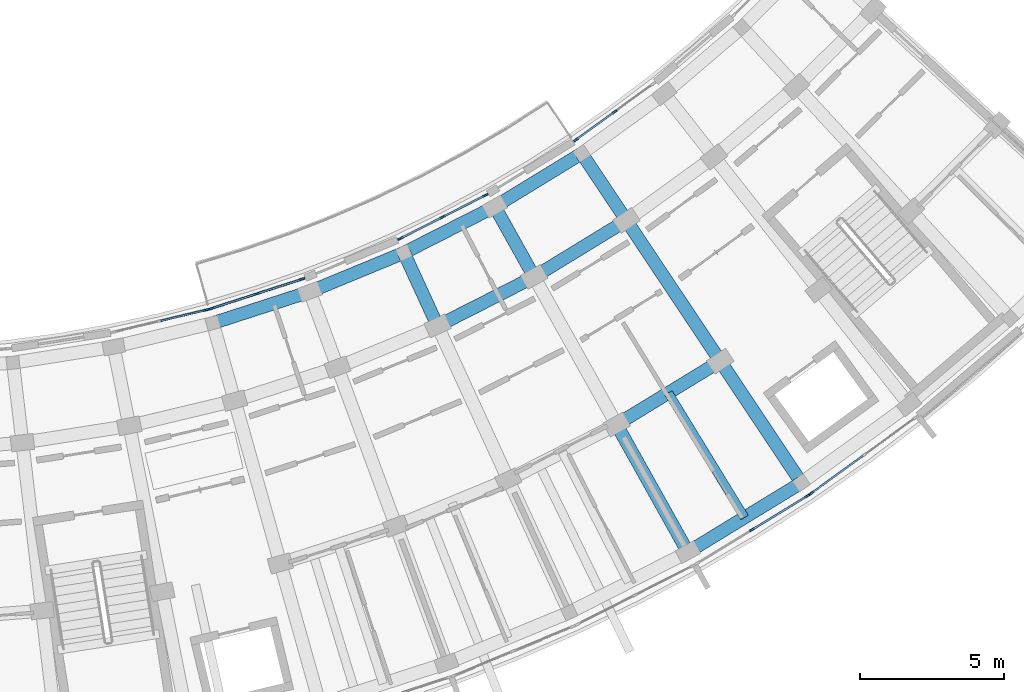
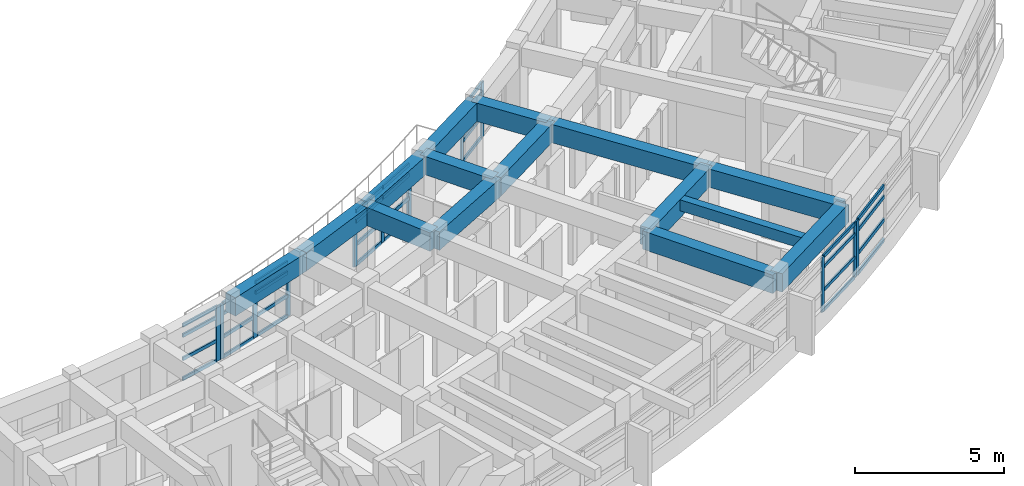
# One storey, part 18 of 56: 44 members, 15 beams, 6 elements without a shape of their own.
"""IFC4 building model written with IfcOpenShell, lengths in metres."""

from ifc_helpers import new_model, si_unit, direction, frame, origin, origin_2d, place, context, subcontext, project, spatial, rectangle, extrude, material, material_profile, profile_set, type_object, element, aggregate, save


model = new_model("IFC4")

# Units and contexts
model_context = context("Model", 3, precision=1e-05, world=origin(), true_north=direction((0.0, 1.0)))
body_context = subcontext(model_context, "Body", "Model", "MODEL_VIEW")
ifc_project = project(units=[si_unit("LENGTHUNIT", "METRE"), si_unit("AREAUNIT", "SQUARE_METRE"), si_unit("VOLUMEUNIT", "CUBIC_METRE"), si_unit("PLANEANGLEUNIT", "RADIAN"), si_unit("MASSUNIT", "GRAM", prefix="KILO")], contexts=[model_context])

# Site, building, storey
site_placement = place(None, origin())
site = spatial("IfcSite", under=ifc_project, at=site_placement, CompositionType="ELEMENT")
building_placement = place(site_placement, origin())
building = spatial("IfcBuilding", under=site, at=building_placement, Name="Zimvara Arc Housing Community", CompositionType="ELEMENT")
storey_placement = place(building_placement, frame((0.0, 0.0, 11.199951171875)))
storey = spatial("IfcBuildingStorey", under=building, at=storey_placement, Name="L03", CompositionType="ELEMENT", Elevation=11.199951171875)

# Beams
ifc_material_1 = material(Name="Concrete C40/50", Category="concrete")
ifc_material_profile_1 = material_profile(ifc_material_1, rectangle(XDim=0.300048828125, YDim=0.449951171875, at=origin_2d()), Name="RC 300x450")
ifc_profile_set_1 = profile_set([ifc_material_profile_1], Name="Concrete C40/50")
beam_type_1 = type_object("IfcBeamType", Name="BM-RC-300x450", PredefinedType="JOIST", material=ifc_profile_set_1)
beam_1_placement = place(storey_placement, frame((154.02880859375, 63.998779296875, 2.635009765625), z_axis=(0.521755418526, -0.85309511969, 0.0), x_axis=(0.85309511969, 0.521755418526, 0.0)))
element("IfcBeam", 1, at=beam_1_placement, inside=storey, type_object=beam_type_1, Name="bm:blkD:L03:joist:b6", PredefinedType="JOIST", context=body_context, shape_type="SweptSolid", body=[
    extrude(rectangle(XDim=0.300048828125, YDim=0.449951171875, at=origin_2d()), origin(), (0.0, 0.0, 1.0), 5.075927734375),
])
ifc_material_2 = material(Name="Concrete C40/50", Category="concrete")
ifc_material_profile_2 = material_profile(ifc_material_2, rectangle(XDim=0.449951171875, YDim=0.75, at=origin_2d()), Name="RC 450x750")
ifc_profile_set_2 = profile_set([ifc_material_profile_2], Name="Concrete C40/50")
beam_type_2 = type_object("IfcBeamType", Name="BM-RC-450x750", PredefinedType="BEAM", material=ifc_profile_set_2)
beam_2_placement = place(storey_placement, frame((138.189453125, 66.42333984375, 2.485107421875), z_axis=(0.951329887165, 0.308174375618, 0.0), x_axis=(-0.308174375618, 0.951329887165, 0.0)))
element("IfcBeam", 2, at=beam_2_placement, inside=storey, type_object=beam_type_2, Name="bm:blkD:L03:chord:r0:b3", PredefinedType="BEAM", context=body_context, shape_type="SweptSolid", body=[
    extrude(rectangle(XDim=0.449951171875, YDim=0.75, at=origin_2d()), origin(), (0.0, 0.0, 1.0), 3.542724609375),
])
beam_3_placement = place(storey_placement, frame((141.559814453125, 67.51513671875, 2.485107421875), z_axis=(0.924206445561, 0.381893238987, 0.0), x_axis=(-0.381893238987, 0.924206445561, 0.0)))
element("IfcBeam", 3, at=beam_3_placement, inside=storey, type_object=beam_type_2, Name="bm:blkD:L03:chord:r0:b4", PredefinedType="BEAM", context=body_context, shape_type="SweptSolid", body=[
    extrude(rectangle(XDim=0.449951171875, YDim=0.75, at=origin_2d()), origin(), (0.0, 0.0, 1.0), 3.54296875),
])
beam_4_placement = place(storey_placement, frame((144.834228515625, 68.8681640625, 2.485107421875), z_axis=(0.891388433472, 0.453240179895, 0.0), x_axis=(-0.453240179895, 0.891388433472, 0.0)))
element("IfcBeam", 4, at=beam_4_placement, inside=storey, type_object=beam_type_2, Name="bm:blkD:L03:chord:r0:b5", PredefinedType="BEAM", context=body_context, shape_type="SweptSolid", body=[
    extrude(rectangle(XDim=0.449951171875, YDim=0.75, at=origin_2d()), origin(), (0.0, 0.0, 1.0), 3.542724609375),
])
beam_5_placement = place(storey_placement, frame((147.9921875, 70.473876953125, 2.485107421875), z_axis=(0.853114855616, 0.52172314797, 0.0), x_axis=(-0.52172314797, 0.853114855616, 0.0)))
element("IfcBeam", 5, at=beam_5_placement, inside=storey, type_object=beam_type_2, Name="bm:blkD:L03:chord:r0:b6", PredefinedType="BEAM", context=body_context, shape_type="SweptSolid", body=[
    extrude(rectangle(XDim=0.449951171875, YDim=0.75, at=origin_2d()), origin(), (0.0, 0.0, 1.0), 3.54296875),
])
for number, where, z_axis, x_axis, name in (
    (6, (146.004150390625, 66.32421875, 2.485107421875), (0.891396237924, 0.453224830536, 0.0), (-0.453224830536, 0.891396237924, 0.0), "bm:blkD:L03:chord:r1:b5"),
    (7, (149.358154296875, 68.029541015625, 2.485107421875), (0.853105356478, 0.521738680517, 0.0), (-0.521738680517, 0.853105356478, 0.0), "bm:blkD:L03:chord:r1:b6"),
):
    element("IfcBeam", number, at=place(storey_placement, frame(where, z_axis=z_axis, x_axis=x_axis)), inside=storey, type_object=beam_type_2, Name=name, PredefinedType="BEAM", context=body_context, shape_type="SweptSolid", body=[
        extrude(rectangle(XDim=0.449951171875, YDim=0.75, at=origin_2d()), origin(), (0.0, 0.0, 1.0), 3.7626953125),
    ])
beam_6_placement = place(storey_placement, frame((152.226806640625, 62.896728515625, 2.485107421875), z_axis=(0.853091772331, 0.521760891579, 0.0), x_axis=(-0.521760891579, 0.853091772331, 0.0)))
element("IfcBeam", 8, at=beam_6_placement, inside=storey, type_object=beam_type_2, Name="bm:blkD:L03:chord:r2:b6", PredefinedType="BEAM", context=body_context, shape_type="SweptSolid", body=[
    extrude(rectangle(XDim=0.449951171875, YDim=0.75, at=origin_2d()), origin(), (0.0, 0.0, 1.0), 4.224365234375),
])
beam_7_placement = place(storey_placement, frame((154.705078125, 58.46240234375, 2.485107421875), z_axis=(0.853105562062, 0.521738344363, 0.0), x_axis=(-0.521738344363, 0.853105562062, 0.0)))
element("IfcBeam", 9, at=beam_7_placement, inside=storey, type_object=beam_type_2, Name="bm:blkD:L03:chord:r3:b6", PredefinedType="BEAM", context=body_context, shape_type="SweptSolid", body=[
    extrude(rectangle(XDim=0.449951171875, YDim=0.75, at=origin_2d()), origin(), (0.0, 0.0, 1.0), 4.623291015625),
])
for number, where, z_axis, x_axis, name in (
    (10, (144.834228515625, 68.8681640625, 2.485107421875), (0.417819250126, -0.908530172435, 0.0), (0.908530172435, 0.417819250126, 0.0), "bm:blkD:L03:rad:b5:r01"),
    (11, (147.9921875, 70.473876953125, 2.485107421875), (0.487825265957, -0.87294129808, 0.0), (0.87294129808, 0.487825265957, 0.0), "bm:blkD:L03:rad:b6:r01"),
):
    element("IfcBeam", number, at=place(storey_placement, frame(where, z_axis=z_axis, x_axis=x_axis)), inside=storey, type_object=beam_type_2, Name=name, PredefinedType="BEAM", context=body_context, shape_type="SweptSolid", body=[
        extrude(rectangle(XDim=0.449951171875, YDim=0.75, at=origin_2d()), origin(), (0.0, 0.0, 1.0), 2.800048828125),
    ])
beam_8_placement = place(storey_placement, frame((152.226806640625, 62.896728515625, 2.485107421875), z_axis=(0.48786121213, -0.872921209331, 0.0), x_axis=(0.872921209331, 0.48786121213, 0.0)))
element("IfcBeam", 12, at=beam_8_placement, inside=storey, type_object=beam_type_2, Name="bm:blkD:L03:rad:b6:r23", PredefinedType="BEAM", context=body_context, shape_type="SweptSolid", body=[
    extrude(rectangle(XDim=0.449951171875, YDim=0.75, at=origin_2d()), origin(), (0.0, 0.0, 1.0), 5.079833984375),
])
beam_9_placement = place(storey_placement, frame((151.0146484375, 72.322265625, 2.485107421875), z_axis=(0.55480079798, -0.831983217716, 0.0), x_axis=(0.831983217716, 0.55480079798, 0.0)))
element("IfcBeam", 13, at=beam_9_placement, inside=storey, type_object=beam_type_2, Name="bm:blkD:L03:rad:b7:r01", PredefinedType="BEAM", context=body_context, shape_type="SweptSolid", body=[
    extrude(rectangle(XDim=0.449951171875, YDim=0.75, at=origin_2d()), origin(), (0.0, 0.0, 1.0), 2.800048828125),
])
beam_10_placement = place(storey_placement, frame((152.568115234375, 69.99267578125, 2.485107421875), z_axis=(0.554843914175, -0.831954464441, 0.0), x_axis=(0.831954464441, 0.554843914175, 0.0)))
element("IfcBeam", 14, at=beam_10_placement, inside=storey, type_object=beam_type_2, Name="bm:blkD:L03:rad:b7:r12", PredefinedType="BEAM", context=body_context, shape_type="SweptSolid", body=[
    extrude(rectangle(XDim=0.449951171875, YDim=0.75, at=origin_2d()), origin(), (0.0, 0.0, 1.0), 5.8798828125),
])
beam_11_placement = place(storey_placement, frame((155.83056640625, 65.100830078125, 2.485107421875), z_axis=(0.554844365732, -0.83195416329, 0.0), x_axis=(0.83195416329, 0.554844365732, 0.0)))
element("IfcBeam", 15, at=beam_11_placement, inside=storey, type_object=beam_type_2, Name="bm:blkD:L03:rad:b7:r23", PredefinedType="BEAM", context=body_context, shape_type="SweptSolid", body=[
    extrude(rectangle(XDim=0.449951171875, YDim=0.75, at=origin_2d()), origin(), (0.0, 0.0, 1.0), 5.080078125),
])

# Curtain wall, member
ifc_material_3 = material(Name="Anodised Aluminium AW-6063", Category="aluminium")
curtain_wall_type_1 = type_object("IfcCurtainWallType", Name="CW-SYS-06", PredefinedType="USERDEFINED", material=ifc_material_3)
curtain_wall_1_placement = place(storey_placement, origin())
curtain_wall_1 = element("IfcCurtainWall", 16, at=curtain_wall_1_placement, inside=storey, type_object=curtain_wall_type_1, Name="cw:blkD:L03:in:b2", ObjectType="CURTAIN WALL", PredefinedType="USERDEFINED")
ifc_material_4 = material(Name="Anodised Aluminium AW-6063", Category="aluminium")
ifc_material_profile_3 = material_profile(ifc_material_4, rectangle(XDim=0.06494140625, YDim=0.179931640625, at=origin_2d()), Name="ALU 65x180")
ifc_profile_set_3 = profile_set([ifc_material_profile_3], Name="Anodised Aluminium AW-6063")
member_type_1 = type_object("IfcMemberType", Name="CWM-65x150", PredefinedType="MULLION", material=ifc_profile_set_3)
member_1_placement = place(storey_placement, frame((137.964111328125, 66.88330078125, 0.0), z_axis=(0.0, 0.0, 1.0), x_axis=(-0.232596003485, 0.972573441526, 0.0)))
member_1 = element("IfcMember", 17, at=member_1_placement, type_object=member_type_1, Name="CW06 mullion 3", PredefinedType="MULLION", context=body_context, shape_type="SweptSolid", body=[
    extrude(rectangle(XDim=0.06494140625, YDim=0.179931640625, at=origin_2d()), origin(), (0.0, 0.0, 1.0), 2.25),
])

# Curtain wall, members
ifc_material_5 = material(Name="Anodised Aluminium AW-6063", Category="aluminium")
curtain_wall_type_2 = type_object("IfcCurtainWallType", Name="CW-SYS-08", PredefinedType="USERDEFINED", material=ifc_material_5)
curtain_wall_2_placement = place(storey_placement, origin())
curtain_wall_2 = element("IfcCurtainWall", 18, at=curtain_wall_2_placement, inside=storey, type_object=curtain_wall_type_2, Name="cw:blkD:L03:in:b3", ObjectType="CURTAIN WALL", PredefinedType="USERDEFINED")
member_2_placement = place(storey_placement, frame((138.14208984375, 66.93310546875, 0.0), z_axis=(0.0, 0.0, 1.0), x_axis=(-0.308185223559, 0.951326373008, 0.0)))
member_2 = element("IfcMember", 19, at=member_2_placement, type_object=member_type_1, Name="CW08 mullion 1", PredefinedType="MULLION", context=body_context, shape_type="SweptSolid", body=[
    extrude(rectangle(XDim=0.06494140625, YDim=0.179931640625, at=origin_2d()), origin(), (0.0, 0.0, 1.0), 2.25),
])
member_3_placement = place(storey_placement, frame((139.720703125, 67.444580078125, 0.0), z_axis=(0.0, 0.0, 1.0), x_axis=(-0.308185223559, 0.951326373008, 0.0)))
member_3 = element("IfcMember", 20, at=member_3_placement, type_object=member_type_1, Name="CW08 mullion 2", PredefinedType="MULLION", context=body_context, shape_type="SweptSolid", body=[
    extrude(rectangle(XDim=0.06494140625, YDim=0.179931640625, at=origin_2d()), origin(), (0.0, 0.0, 1.0), 2.25),
])
member_4_placement = place(storey_placement, frame((141.29931640625, 67.9560546875, 0.0), z_axis=(0.0, 0.0, 1.0), x_axis=(-0.308185223559, 0.951326373008, 0.0)))
member_4 = element("IfcMember", 21, at=member_4_placement, type_object=member_type_1, Name="CW08 mullion 3", PredefinedType="MULLION", context=body_context, shape_type="SweptSolid", body=[
    extrude(rectangle(XDim=0.06494140625, YDim=0.179931640625, at=origin_2d()), origin(), (0.0, 0.0, 1.0), 2.25),
])

ifc_material_6 = material(Name="Anodised Aluminium AW-6063", Category="aluminium")
curtain_wall_type_3 = type_object("IfcCurtainWallType", Name="CW-SYS-04", PredefinedType="USERDEFINED", material=ifc_material_6)
curtain_wall_3_placement = place(storey_placement, origin())
curtain_wall_3 = element("IfcCurtainWall", 22, at=curtain_wall_3_placement, inside=storey, type_object=curtain_wall_type_3, Name="cw:blkD:L03:out:b6", ObjectType="CURTAIN WALL", PredefinedType="USERDEFINED")
member_5_placement = place(storey_placement, frame((156.93798828125, 59.2421875, 0.0), z_axis=(0.0, 0.0, 1.0), x_axis=(-0.521754248513, 0.853095835272, 0.0)))
member_5 = element("IfcMember", 23, at=member_5_placement, type_object=member_type_1, Name="CW04 mullion 2", PredefinedType="MULLION", context=body_context, shape_type="SweptSolid", body=[
    extrude(rectangle(XDim=0.06494140625, YDim=0.179931640625, at=origin_2d()), origin(), (0.0, 0.0, 1.0), 2.25),
])
member_6_placement = place(storey_placement, frame((158.84765625, 60.410400390625, 0.0), z_axis=(0.0, 0.0, 1.0), x_axis=(-0.521754248513, 0.853095835272, 0.0)))
member_6 = element("IfcMember", 24, at=member_6_placement, type_object=member_type_1, Name="CW04 mullion 3", PredefinedType="MULLION", context=body_context, shape_type="SweptSolid", body=[
    extrude(rectangle(XDim=0.06494140625, YDim=0.179931640625, at=origin_2d()), origin(), (0.0, 0.0, 1.0), 2.25),
])

curtain_wall_4_placement = place(storey_placement, origin())
curtain_wall_4 = element("IfcCurtainWall", 25, at=curtain_wall_4_placement, inside=storey, type_object=curtain_wall_type_1, Name="cw:blkD:L03:in:b7", ObjectType="CURTAIN WALL", PredefinedType="USERDEFINED")
member_7_placement = place(storey_placement, frame((150.81201171875, 72.79248046875, 0.0), z_axis=(0.0, 0.0, 1.0), x_axis=(-0.587079343755, 0.809529396709, 0.0)))
member_7 = element("IfcMember", 26, at=member_7_placement, type_object=member_type_1, Name="CW06 mullion 1", PredefinedType="MULLION", context=body_context, shape_type="SweptSolid", body=[
    extrude(rectangle(XDim=0.06494140625, YDim=0.179931640625, at=origin_2d()), origin(), (0.0, 0.0, 1.0), 2.25),
])
member_8_placement = place(storey_placement, frame((152.1552734375, 73.7666015625, 0.0), z_axis=(0.0, 0.0, 1.0), x_axis=(-0.587079343755, 0.809529396709, 0.0)))
member_8 = element("IfcMember", 27, at=member_8_placement, type_object=member_type_1, Name="CW06 mullion 2", PredefinedType="MULLION", context=body_context, shape_type="SweptSolid", body=[
    extrude(rectangle(XDim=0.06494140625, YDim=0.179931640625, at=origin_2d()), origin(), (0.0, 0.0, 1.0), 2.25),
])

ifc_material_7 = material(Name="Anodised Aluminium AW-6063", Category="aluminium")
curtain_wall_type_4 = type_object("IfcCurtainWallType", Name="CW-SYS-03", PredefinedType="USERDEFINED", material=ifc_material_7)
curtain_wall_5_placement = place(storey_placement, origin())
curtain_wall_5 = element("IfcCurtainWall", 28, at=curtain_wall_5_placement, inside=storey, type_object=curtain_wall_type_4, Name="cw:blkD:L03:in:b5", ObjectType="CURTAIN WALL", PredefinedType="USERDEFINED")
ifc_material_8 = material(Name="Anodised Aluminium AW-6063", Category="aluminium")
ifc_material_profile_4 = material_profile(ifc_material_8, rectangle(XDim=0.06494140625, YDim=0.195068359375, at=origin_2d()), Name="ALU 65x195")
ifc_profile_set_4 = profile_set([ifc_material_profile_4], Name="Anodised Aluminium AW-6063")
member_type_2 = type_object("IfcMemberType", Name="CWM-65x180", PredefinedType="MULLION", material=ifc_profile_set_4)
member_9_placement = place(storey_placement, frame((144.707763671875, 69.3642578125, 0.0), z_axis=(0.0, 0.0, 1.0), x_axis=(-0.453211411267, 0.89140306074, 0.0)))
member_9 = element("IfcMember", 29, at=member_9_placement, type_object=member_type_2, Name="CW03 mullion 1", PredefinedType="MULLION", context=body_context, shape_type="SweptSolid", body=[
    extrude(rectangle(XDim=0.06494140625, YDim=0.195068359375, at=origin_2d()), origin(), (0.0, 0.0, 1.0), 2.25),
])
member_10_placement = place(storey_placement, frame((146.186767578125, 70.1162109375, 0.0), z_axis=(0.0, 0.0, 1.0), x_axis=(-0.453211411267, 0.89140306074, 0.0)))
member_10 = element("IfcMember", 30, at=member_10_placement, type_object=member_type_2, Name="CW03 mullion 2", PredefinedType="MULLION", context=body_context, shape_type="SweptSolid", body=[
    extrude(rectangle(XDim=0.06494140625, YDim=0.195068359375, at=origin_2d()), origin(), (0.0, 0.0, 1.0), 2.25),
])
member_11_placement = place(storey_placement, frame((147.665771484375, 70.868408203125, 0.0), z_axis=(0.0, 0.0, 1.0), x_axis=(-0.453211411267, 0.89140306074, 0.0)))
member_11 = element("IfcMember", 31, at=member_11_placement, type_object=member_type_2, Name="CW03 mullion 3", PredefinedType="MULLION", context=body_context, shape_type="SweptSolid", body=[
    extrude(rectangle(XDim=0.06494140625, YDim=0.195068359375, at=origin_2d()), origin(), (0.0, 0.0, 1.0), 2.25),
])

# Curtain wall, member
ifc_material_9 = material(Name="Anodised Aluminium AW-6063", Category="aluminium")
curtain_wall_type_5 = type_object("IfcCurtainWallType", Name="CW-SYS-05", PredefinedType="USERDEFINED", material=ifc_material_9)
curtain_wall_6_placement = place(storey_placement, origin())
curtain_wall_6 = element("IfcCurtainWall", 32, at=curtain_wall_6_placement, inside=storey, type_object=curtain_wall_type_5, Name="cw:blkD:L03:out:b7", ObjectType="CURTAIN WALL", PredefinedType="USERDEFINED")
member_12_placement = place(storey_placement, frame((159.00146484375, 60.512939453125, 0.0), z_axis=(0.0, 0.0, 1.0), x_axis=(-0.587077917196, 0.809530431263, 0.0)))
member_12 = element("IfcMember", 33, at=member_12_placement, type_object=member_type_2, Name="CW05 mullion 1", PredefinedType="MULLION", context=body_context, shape_type="SweptSolid", body=[
    extrude(rectangle(XDim=0.06494140625, YDim=0.195068359375, at=origin_2d()), origin(), (0.0, 0.0, 1.0), 2.25),
])

# Member
ifc_material_10 = material(Name="Anodised Aluminium AW-6063", Category="aluminium")
ifc_material_profile_5 = material_profile(ifc_material_10, rectangle(XDim=0.06494140625, YDim=0.139892578125, at=origin_2d()), Name="ALU 65x140")
ifc_profile_set_5 = profile_set([ifc_material_profile_5], Name="Anodised Aluminium AW-6063")
member_type_3 = type_object("IfcMemberType", Name="CWT-65x120", PredefinedType="USERDEFINED", material=ifc_profile_set_5)
member_13_placement = place(storey_placement, frame((136.382080078125, 66.5048828125, 0.032470703125), z_axis=(0.972569101566, 0.232614149784, 0.0), x_axis=(-0.232614149784, 0.972569101566, 0.0)))
member_13 = element("IfcMember", 34, at=member_13_placement, type_object=member_type_3, Name="CW06 transom 2.1", ObjectType="TRANSOM", PredefinedType="USERDEFINED", context=body_context, shape_type="SweptSolid", body=[
    extrude(rectangle(XDim=0.06494140625, YDim=0.139892578125, at=origin_2d()), origin(), (0.0, 0.0, 1.0), 1.59423828125),
])

member_14_placement = place(storey_placement, frame((136.382080078125, 66.5048828125, 0.85009765625), z_axis=(0.972569101566, 0.232614149784, 0.0), x_axis=(-0.232614149784, 0.972569101566, 0.0)))
member_14 = element("IfcMember", 35, at=member_14_placement, type_object=member_type_3, Name="CW06 transom 2.2", ObjectType="TRANSOM", PredefinedType="USERDEFINED", context=body_context, shape_type="SweptSolid", body=[
    extrude(rectangle(XDim=0.06494140625, YDim=0.139892578125, at=origin_2d()), origin(), (0.0, 0.0, 1.0), 1.59423828125),
])

member_15_placement = place(storey_placement, frame((136.382080078125, 66.5048828125, 1.800048828125), z_axis=(0.972569101566, 0.232614149784, 0.0), x_axis=(-0.232614149784, 0.972569101566, 0.0)))
member_15 = element("IfcMember", 36, at=member_15_placement, type_object=member_type_3, Name="CW06 transom 2.3", ObjectType="TRANSOM", PredefinedType="USERDEFINED", context=body_context, shape_type="SweptSolid", body=[
    extrude(rectangle(XDim=0.06494140625, YDim=0.139892578125, at=origin_2d()), origin(), (0.0, 0.0, 1.0), 1.59423828125),
])

member_16_placement = place(storey_placement, frame((136.382080078125, 66.5048828125, 2.217529296875), z_axis=(0.972569101566, 0.232614149784, 0.0), x_axis=(-0.232614149784, 0.972569101566, 0.0)))
member_16 = element("IfcMember", 37, at=member_16_placement, type_object=member_type_3, Name="CW06 transom 2.4", ObjectType="TRANSOM", PredefinedType="USERDEFINED", context=body_context, shape_type="SweptSolid", body=[
    extrude(rectangle(XDim=0.06494140625, YDim=0.139892578125, at=origin_2d()), origin(), (0.0, 0.0, 1.0), 1.59423828125),
])

aggregate(curtain_wall_1, [member_1, member_13, member_14, member_15, member_16])

member_17_placement = place(storey_placement, frame((138.173095703125, 66.943115234375, 0.032470703125), z_axis=(0.951299308569, 0.308268755336, 0.0), x_axis=(-0.308268755336, 0.951299308569, 0.0)))
member_17 = element("IfcMember", 38, at=member_17_placement, type_object=member_type_3, Name="CW08 transom 1.1", ObjectType="TRANSOM", PredefinedType="USERDEFINED", context=body_context, shape_type="SweptSolid", body=[
    extrude(rectangle(XDim=0.06494140625, YDim=0.139892578125, at=origin_2d()), origin(), (0.0, 0.0, 1.0), 1.59423828125),
])

member_18_placement = place(storey_placement, frame((138.173095703125, 66.943115234375, 0.85009765625), z_axis=(0.951299308569, 0.308268755336, 0.0), x_axis=(-0.308268755336, 0.951299308569, 0.0)))
member_18 = element("IfcMember", 39, at=member_18_placement, type_object=member_type_3, Name="CW08 transom 1.2", ObjectType="TRANSOM", PredefinedType="USERDEFINED", context=body_context, shape_type="SweptSolid", body=[
    extrude(rectangle(XDim=0.06494140625, YDim=0.139892578125, at=origin_2d()), origin(), (0.0, 0.0, 1.0), 1.59423828125),
])

member_19_placement = place(storey_placement, frame((138.173095703125, 66.943115234375, 1.800048828125), z_axis=(0.951299308569, 0.308268755336, 0.0), x_axis=(-0.308268755336, 0.951299308569, 0.0)))
member_19 = element("IfcMember", 40, at=member_19_placement, type_object=member_type_3, Name="CW08 transom 1.3", ObjectType="TRANSOM", PredefinedType="USERDEFINED", context=body_context, shape_type="SweptSolid", body=[
    extrude(rectangle(XDim=0.06494140625, YDim=0.139892578125, at=origin_2d()), origin(), (0.0, 0.0, 1.0), 1.59423828125),
])

member_20_placement = place(storey_placement, frame((138.173095703125, 66.943115234375, 2.217529296875), z_axis=(0.951299308569, 0.308268755336, 0.0), x_axis=(-0.308268755336, 0.951299308569, 0.0)))
member_20 = element("IfcMember", 41, at=member_20_placement, type_object=member_type_3, Name="CW08 transom 1.4", ObjectType="TRANSOM", PredefinedType="USERDEFINED", context=body_context, shape_type="SweptSolid", body=[
    extrude(rectangle(XDim=0.06494140625, YDim=0.139892578125, at=origin_2d()), origin(), (0.0, 0.0, 1.0), 1.59423828125),
])

member_21_placement = place(storey_placement, frame((139.751708984375, 67.45458984375, 0.032470703125), z_axis=(0.951344209493, 0.308130159289, 0.0), x_axis=(-0.308130159289, 0.951344209493, 0.0)))
member_21 = element("IfcMember", 42, at=member_21_placement, type_object=member_type_3, Name="CW08 transom 2.1", ObjectType="TRANSOM", PredefinedType="USERDEFINED", context=body_context, shape_type="SweptSolid", body=[
    extrude(rectangle(XDim=0.06494140625, YDim=0.139892578125, at=origin_2d()), origin(), (0.0, 0.0, 1.0), 1.59423828125),
])

member_22_placement = place(storey_placement, frame((139.751708984375, 67.45458984375, 0.85009765625), z_axis=(0.951344209493, 0.308130159289, 0.0), x_axis=(-0.308130159289, 0.951344209493, 0.0)))
member_22 = element("IfcMember", 43, at=member_22_placement, type_object=member_type_3, Name="CW08 transom 2.2", ObjectType="TRANSOM", PredefinedType="USERDEFINED", context=body_context, shape_type="SweptSolid", body=[
    extrude(rectangle(XDim=0.06494140625, YDim=0.139892578125, at=origin_2d()), origin(), (0.0, 0.0, 1.0), 1.59423828125),
])

member_23_placement = place(storey_placement, frame((139.751708984375, 67.45458984375, 1.800048828125), z_axis=(0.951344209493, 0.308130159289, 0.0), x_axis=(-0.308130159289, 0.951344209493, 0.0)))
member_23 = element("IfcMember", 44, at=member_23_placement, type_object=member_type_3, Name="CW08 transom 2.3", ObjectType="TRANSOM", PredefinedType="USERDEFINED", context=body_context, shape_type="SweptSolid", body=[
    extrude(rectangle(XDim=0.06494140625, YDim=0.139892578125, at=origin_2d()), origin(), (0.0, 0.0, 1.0), 1.59423828125),
])

member_24_placement = place(storey_placement, frame((139.751708984375, 67.45458984375, 2.217529296875), z_axis=(0.951344209493, 0.308130159289, 0.0), x_axis=(-0.308130159289, 0.951344209493, 0.0)))
member_24 = element("IfcMember", 45, at=member_24_placement, type_object=member_type_3, Name="CW08 transom 2.4", ObjectType="TRANSOM", PredefinedType="USERDEFINED", context=body_context, shape_type="SweptSolid", body=[
    extrude(rectangle(XDim=0.06494140625, YDim=0.139892578125, at=origin_2d()), origin(), (0.0, 0.0, 1.0), 1.59423828125),
])

aggregate(curtain_wall_2, [member_2, member_3, member_4, member_17, member_18, member_19, member_20, member_21, member_22, member_23, member_24])

member_25_placement = place(storey_placement, frame((156.965576171875, 59.25927734375, 0.032470703125), z_axis=(0.853131879051, 0.521695310452, 0.0), x_axis=(-0.521695310452, 0.853131879051, 0.0)))
member_25 = element("IfcMember", 46, at=member_25_placement, type_object=member_type_3, Name="CW04 transom 2.1", ObjectType="TRANSOM", PredefinedType="USERDEFINED", context=body_context, shape_type="SweptSolid", body=[
    extrude(rectangle(XDim=0.06494140625, YDim=0.139892578125, at=origin_2d()), origin(), (0.0, 0.0, 1.0), 2.173828125),
])

member_26_placement = place(storey_placement, frame((156.965576171875, 59.25927734375, 0.85009765625), z_axis=(0.853131879051, 0.521695310452, 0.0), x_axis=(-0.521695310452, 0.853131879051, 0.0)))
member_26 = element("IfcMember", 47, at=member_26_placement, type_object=member_type_3, Name="CW04 transom 2.2", ObjectType="TRANSOM", PredefinedType="USERDEFINED", context=body_context, shape_type="SweptSolid", body=[
    extrude(rectangle(XDim=0.06494140625, YDim=0.139892578125, at=origin_2d()), origin(), (0.0, 0.0, 1.0), 2.173828125),
])

member_27_placement = place(storey_placement, frame((156.965576171875, 59.25927734375, 1.800048828125), z_axis=(0.853131879051, 0.521695310452, 0.0), x_axis=(-0.521695310452, 0.853131879051, 0.0)))
member_27 = element("IfcMember", 48, at=member_27_placement, type_object=member_type_3, Name="CW04 transom 2.3", ObjectType="TRANSOM", PredefinedType="USERDEFINED", context=body_context, shape_type="SweptSolid", body=[
    extrude(rectangle(XDim=0.06494140625, YDim=0.139892578125, at=origin_2d()), origin(), (0.0, 0.0, 1.0), 2.173828125),
])

member_28_placement = place(storey_placement, frame((156.965576171875, 59.25927734375, 2.217529296875), z_axis=(0.853131879051, 0.521695310452, 0.0), x_axis=(-0.521695310452, 0.853131879051, 0.0)))
member_28 = element("IfcMember", 49, at=member_28_placement, type_object=member_type_3, Name="CW04 transom 2.4", ObjectType="TRANSOM", PredefinedType="USERDEFINED", context=body_context, shape_type="SweptSolid", body=[
    extrude(rectangle(XDim=0.06494140625, YDim=0.139892578125, at=origin_2d()), origin(), (0.0, 0.0, 1.0), 2.173828125),
])

aggregate(curtain_wall_3, [member_5, member_6, member_25, member_26, member_27, member_28])

member_29_placement = place(storey_placement, frame((150.83837890625, 72.8115234375, 0.032470703125), z_axis=(0.809490349774, 0.587133182185, 0.0), x_axis=(-0.587133182185, 0.809490349774, 0.0)))
member_29 = element("IfcMember", 50, at=member_29_placement, type_object=member_type_3, Name="CW06 transom 1.1", ObjectType="TRANSOM", PredefinedType="USERDEFINED", context=body_context, shape_type="SweptSolid", body=[
    extrude(rectangle(XDim=0.06494140625, YDim=0.139892578125, at=origin_2d()), origin(), (0.0, 0.0, 1.0), 1.59423828125),
])

member_30_placement = place(storey_placement, frame((150.83837890625, 72.8115234375, 0.85009765625), z_axis=(0.809490349774, 0.587133182185, 0.0), x_axis=(-0.587133182185, 0.809490349774, 0.0)))
member_30 = element("IfcMember", 51, at=member_30_placement, type_object=member_type_3, Name="CW06 transom 1.2", ObjectType="TRANSOM", PredefinedType="USERDEFINED", context=body_context, shape_type="SweptSolid", body=[
    extrude(rectangle(XDim=0.06494140625, YDim=0.139892578125, at=origin_2d()), origin(), (0.0, 0.0, 1.0), 1.59423828125),
])

member_31_placement = place(storey_placement, frame((150.83837890625, 72.8115234375, 1.800048828125), z_axis=(0.809490349774, 0.587133182185, 0.0), x_axis=(-0.587133182185, 0.809490349774, 0.0)))
member_31 = element("IfcMember", 52, at=member_31_placement, type_object=member_type_3, Name="CW06 transom 1.3", ObjectType="TRANSOM", PredefinedType="USERDEFINED", context=body_context, shape_type="SweptSolid", body=[
    extrude(rectangle(XDim=0.06494140625, YDim=0.139892578125, at=origin_2d()), origin(), (0.0, 0.0, 1.0), 1.59423828125),
])

member_32_placement = place(storey_placement, frame((150.83837890625, 72.8115234375, 2.217529296875), z_axis=(0.809490349774, 0.587133182185, 0.0), x_axis=(-0.587133182185, 0.809490349774, 0.0)))
member_32 = element("IfcMember", 53, at=member_32_placement, type_object=member_type_3, Name="CW06 transom 1.4", ObjectType="TRANSOM", PredefinedType="USERDEFINED", context=body_context, shape_type="SweptSolid", body=[
    extrude(rectangle(XDim=0.06494140625, YDim=0.139892578125, at=origin_2d()), origin(), (0.0, 0.0, 1.0), 1.59423828125),
])

aggregate(curtain_wall_4, [member_7, member_8, member_29, member_30, member_31, member_32])

ifc_material_11 = material(Name="Anodised Aluminium AW-6063", Category="aluminium")
ifc_material_profile_6 = material_profile(ifc_material_11, rectangle(XDim=0.06494140625, YDim=0.155029296875, at=origin_2d()), Name="ALU 65x155")
ifc_profile_set_6 = profile_set([ifc_material_profile_6], Name="Anodised Aluminium AW-6063")
member_type_4 = type_object("IfcMemberType", Name="CWT-65x140", PredefinedType="USERDEFINED", material=ifc_profile_set_6)
member_33_placement = place(storey_placement, frame((144.736572265625, 69.37890625, 0.032470703125), z_axis=(0.891374643948, 0.453267298761, 0.0), x_axis=(-0.453267298761, 0.891374643948, 0.0)))
member_33 = element("IfcMember", 54, at=member_33_placement, type_object=member_type_4, Name="CW03 transom 1.1", ObjectType="TRANSOM", PredefinedType="USERDEFINED", context=body_context, shape_type="SweptSolid", body=[
    extrude(rectangle(XDim=0.06494140625, YDim=0.155029296875, at=origin_2d()), origin(), (0.0, 0.0, 1.0), 1.59423828125),
])

member_34_placement = place(storey_placement, frame((144.736572265625, 69.37890625, 0.85009765625), z_axis=(0.891374643948, 0.453267298761, 0.0), x_axis=(-0.453267298761, 0.891374643948, 0.0)))
member_34 = element("IfcMember", 55, at=member_34_placement, type_object=member_type_4, Name="CW03 transom 1.2", ObjectType="TRANSOM", PredefinedType="USERDEFINED", context=body_context, shape_type="SweptSolid", body=[
    extrude(rectangle(XDim=0.06494140625, YDim=0.155029296875, at=origin_2d()), origin(), (0.0, 0.0, 1.0), 1.59423828125),
])

member_35_placement = place(storey_placement, frame((144.736572265625, 69.37890625, 1.800048828125), z_axis=(0.891374643948, 0.453267298761, 0.0), x_axis=(-0.453267298761, 0.891374643948, 0.0)))
member_35 = element("IfcMember", 56, at=member_35_placement, type_object=member_type_4, Name="CW03 transom 1.3", ObjectType="TRANSOM", PredefinedType="USERDEFINED", context=body_context, shape_type="SweptSolid", body=[
    extrude(rectangle(XDim=0.06494140625, YDim=0.155029296875, at=origin_2d()), origin(), (0.0, 0.0, 1.0), 1.59423828125),
])

member_36_placement = place(storey_placement, frame((144.736572265625, 69.37890625, 2.217529296875), z_axis=(0.891374643948, 0.453267298761, 0.0), x_axis=(-0.453267298761, 0.891374643948, 0.0)))
member_36 = element("IfcMember", 57, at=member_36_placement, type_object=member_type_4, Name="CW03 transom 1.4", ObjectType="TRANSOM", PredefinedType="USERDEFINED", context=body_context, shape_type="SweptSolid", body=[
    extrude(rectangle(XDim=0.06494140625, YDim=0.155029296875, at=origin_2d()), origin(), (0.0, 0.0, 1.0), 1.59423828125),
])

member_37_placement = place(storey_placement, frame((146.2158203125, 70.131103515625, 0.032470703125), z_axis=(0.891436509542, 0.453145616172, 0.0), x_axis=(-0.453145616172, 0.891436509542, 0.0)))
member_37 = element("IfcMember", 58, at=member_37_placement, type_object=member_type_4, Name="CW03 transom 2.1", ObjectType="TRANSOM", PredefinedType="USERDEFINED", context=body_context, shape_type="SweptSolid", body=[
    extrude(rectangle(XDim=0.06494140625, YDim=0.155029296875, at=origin_2d()), origin(), (0.0, 0.0, 1.0), 1.59423828125),
])

member_38_placement = place(storey_placement, frame((146.2158203125, 70.131103515625, 0.85009765625), z_axis=(0.891436509542, 0.453145616172, 0.0), x_axis=(-0.453145616172, 0.891436509542, 0.0)))
member_38 = element("IfcMember", 59, at=member_38_placement, type_object=member_type_4, Name="CW03 transom 2.2", ObjectType="TRANSOM", PredefinedType="USERDEFINED", context=body_context, shape_type="SweptSolid", body=[
    extrude(rectangle(XDim=0.06494140625, YDim=0.155029296875, at=origin_2d()), origin(), (0.0, 0.0, 1.0), 1.59423828125),
])

member_39_placement = place(storey_placement, frame((146.2158203125, 70.131103515625, 1.800048828125), z_axis=(0.891436509542, 0.453145616172, 0.0), x_axis=(-0.453145616172, 0.891436509542, 0.0)))
member_39 = element("IfcMember", 60, at=member_39_placement, type_object=member_type_4, Name="CW03 transom 2.3", ObjectType="TRANSOM", PredefinedType="USERDEFINED", context=body_context, shape_type="SweptSolid", body=[
    extrude(rectangle(XDim=0.06494140625, YDim=0.155029296875, at=origin_2d()), origin(), (0.0, 0.0, 1.0), 1.59423828125),
])

member_40_placement = place(storey_placement, frame((146.2158203125, 70.131103515625, 2.217529296875), z_axis=(0.891436509542, 0.453145616172, 0.0), x_axis=(-0.453145616172, 0.891436509542, 0.0)))
member_40 = element("IfcMember", 61, at=member_40_placement, type_object=member_type_4, Name="CW03 transom 2.4", ObjectType="TRANSOM", PredefinedType="USERDEFINED", context=body_context, shape_type="SweptSolid", body=[
    extrude(rectangle(XDim=0.06494140625, YDim=0.155029296875, at=origin_2d()), origin(), (0.0, 0.0, 1.0), 1.59423828125),
])

aggregate(curtain_wall_5, [member_9, member_10, member_11, member_33, member_34, member_35, member_36, member_37, member_38, member_39, member_40])

member_41_placement = place(storey_placement, frame((159.02783203125, 60.531982421875, 0.032470703125), z_axis=(0.80954639163, 0.587055908581, 0.0), x_axis=(-0.587055908581, 0.80954639163, 0.0)))
member_41 = element("IfcMember", 62, at=member_41_placement, type_object=member_type_4, Name="CW05 transom 1.1", ObjectType="TRANSOM", PredefinedType="USERDEFINED", context=body_context, shape_type="SweptSolid", body=[
    extrude(rectangle(XDim=0.06494140625, YDim=0.155029296875, at=origin_2d()), origin(), (0.0, 0.0, 1.0), 2.173828125),
])

member_42_placement = place(storey_placement, frame((159.02783203125, 60.531982421875, 0.85009765625), z_axis=(0.80954639163, 0.587055908581, 0.0), x_axis=(-0.587055908581, 0.80954639163, 0.0)))
member_42 = element("IfcMember", 63, at=member_42_placement, type_object=member_type_4, Name="CW05 transom 1.2", ObjectType="TRANSOM", PredefinedType="USERDEFINED", context=body_context, shape_type="SweptSolid", body=[
    extrude(rectangle(XDim=0.06494140625, YDim=0.155029296875, at=origin_2d()), origin(), (0.0, 0.0, 1.0), 2.173828125),
])

member_43_placement = place(storey_placement, frame((159.02783203125, 60.531982421875, 1.800048828125), z_axis=(0.80954639163, 0.587055908581, 0.0), x_axis=(-0.587055908581, 0.80954639163, 0.0)))
member_43 = element("IfcMember", 64, at=member_43_placement, type_object=member_type_4, Name="CW05 transom 1.3", ObjectType="TRANSOM", PredefinedType="USERDEFINED", context=body_context, shape_type="SweptSolid", body=[
    extrude(rectangle(XDim=0.06494140625, YDim=0.155029296875, at=origin_2d()), origin(), (0.0, 0.0, 1.0), 2.173828125),
])

member_44_placement = place(storey_placement, frame((159.02783203125, 60.531982421875, 2.217529296875), z_axis=(0.80954639163, 0.587055908581, 0.0), x_axis=(-0.587055908581, 0.80954639163, 0.0)))
member_44 = element("IfcMember", 65, at=member_44_placement, type_object=member_type_4, Name="CW05 transom 1.4", ObjectType="TRANSOM", PredefinedType="USERDEFINED", context=body_context, shape_type="SweptSolid", body=[
    extrude(rectangle(XDim=0.06494140625, YDim=0.155029296875, at=origin_2d()), origin(), (0.0, 0.0, 1.0), 2.173828125),
])

aggregate(curtain_wall_6, [member_12, member_41, member_42, member_43, member_44])

save(model, "model.ifc")
